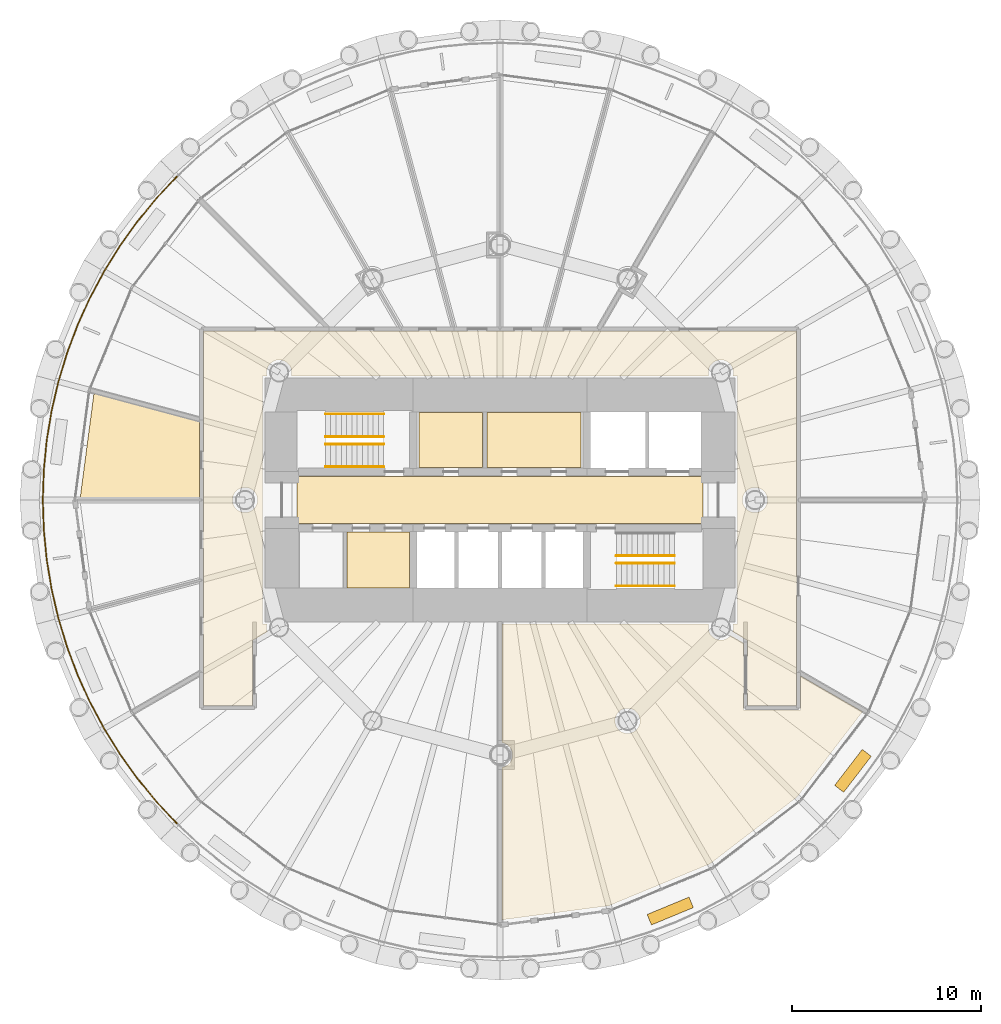
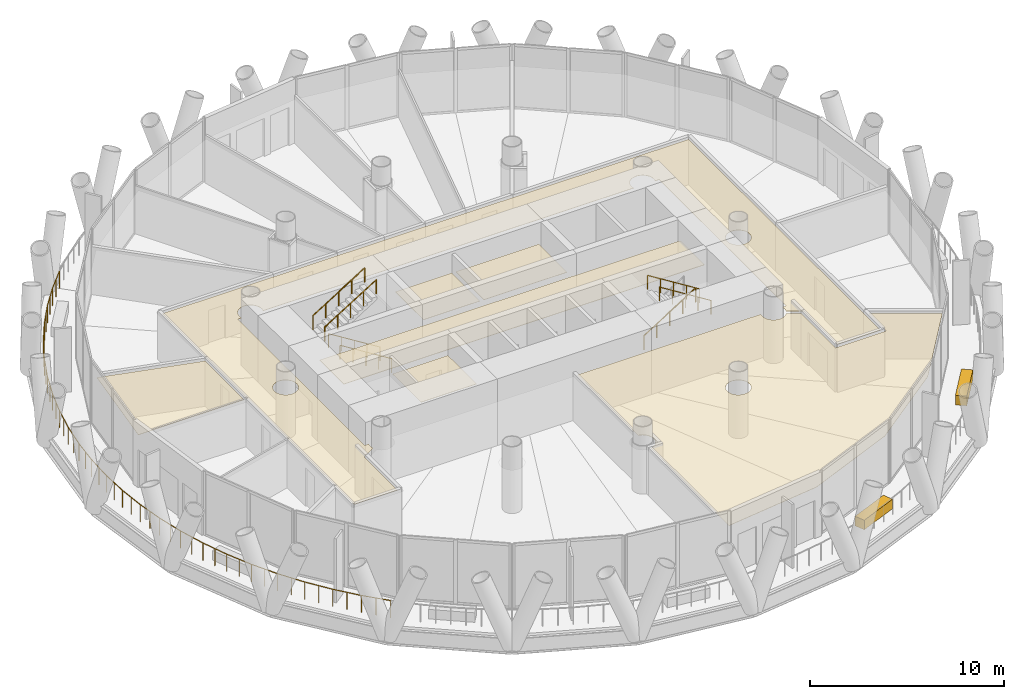
# One storey, part 13 of 15: 9 coverings, 8 railings.
"""IFC4 building model written with IfcOpenShell, lengths in metres."""

from ifc_helpers import new_model, si_unit, direction, frame, origin, origin_2d, place, context, subcontext, project, spatial, polyline, rectangle, circle, outline, extrude, material, layer, layer_set, type_object, element, save


model = new_model("IFC4")

# Units and contexts
model_context = context("Model", 3, precision=1e-05, world=origin(), true_north=direction((0.0, 1.0)))
body_context = subcontext(model_context, "Body", "Model", "MODEL_VIEW")
ifc_project = project(units=[si_unit("LENGTHUNIT", "METRE"), si_unit("AREAUNIT", "SQUARE_METRE"), si_unit("VOLUMEUNIT", "CUBIC_METRE"), si_unit("PLANEANGLEUNIT", "RADIAN"), si_unit("MASSUNIT", "GRAM", prefix="KILO")], contexts=[model_context])

# Site, building, storey
site_placement = place(None, origin())
site = spatial("IfcSite", under=ifc_project, at=site_placement, CompositionType="ELEMENT")
building_placement = place(site_placement, origin())
building = spatial("IfcBuilding", under=site, at=building_placement, Name="Qaws Media Tower", CompositionType="ELEMENT")
storey_placement = place(building_placement, frame((0.0, 0.0, 143.60009765625)))
storey = spatial("IfcBuildingStorey", under=building, at=storey_placement, Name="L32", CompositionType="ELEMENT", Elevation=143.60009765625)

# Railing
ifc_material_1 = material(Name="Stainless steel and glass guard", Category="steel")
railing_type_1 = type_object("IfcRailingType", Name="Balcony guard 1100", PredefinedType="GUARDRAIL", material=ifc_material_1)
railing_placement = place(storey_placement, frame((42.887939453125, 67.112060546875, 0.0)))
element("IfcRailing", 1, at=railing_placement, inside=storey, type_object=railing_type_1, Name="GR1 balcony guard L32-2", PredefinedType="GUARDRAIL", context=body_context, shape_type="SweptSolid", body=[
    extrude(circle(Radius=0.02392578125, at=origin_2d()), frame((0.0, 0.0, 1.076171875), z_axis=(-0.683525663397, -0.729926480872, 0.0), x_axis=(0.729926480872, -0.683525663397, 0.0)), (0.0, 0.0, 1.0), 1.583740234375),
    extrude(circle(Radius=0.02392578125, at=origin_2d()), frame((-1.08251953125, -1.156005859375, 1.076171875), z_axis=(-0.634404020343, -0.773001642284, 0.0), x_axis=(0.773001642284, -0.634404020343, 0.0)), (0.0, 0.0, 1.0), 1.58349609375),
    extrude(circle(Radius=0.02392578125, at=origin_2d()), frame((-2.087158203125, -2.380126953125, 1.076171875), z_axis=(-0.582491777819, -0.81283659414, 0.0), x_axis=(0.81283659414, -0.582491777819, 0.0)), (0.0, 0.0, 1.0), 1.58349609375),
    extrude(circle(Radius=0.02392578125, at=origin_2d()), frame((-3.009521484375, -3.667236328125, 1.076171875), z_axis=(-0.528057343706, -0.849208715075, 0.0), x_axis=(0.849208715075, -0.528057343706, 0.0)), (0.0, 0.0, 1.0), 1.58349609375),
    extrude(circle(Radius=0.02392578125, at=origin_2d()), frame((-3.845703125, -5.011962890625, 1.076171875), z_axis=(-0.471404145515, -0.881917304281, 0.0), x_axis=(0.881917304281, -0.471404145515, 0.0)), (0.0, 0.0, 1.0), 1.583740234375),
    extrude(circle(Radius=0.02392578125, at=origin_2d()), frame((-4.59228515625, -6.40869140625, 1.076171875), z_axis=(-0.412722382682, -0.910856868467, 0.0), x_axis=(0.910856868467, -0.412722382682, 0.0)), (0.0, 0.0, 1.0), 1.58349609375),
    extrude(circle(Radius=0.02392578125, at=origin_2d()), frame((-5.245849609375, -7.85107421875, 1.076171875), z_axis=(-0.35225509793, -0.935904026053, 0.0), x_axis=(0.935904026053, -0.35225509793, 0.0)), (0.0, 0.0, 1.0), 1.583740234375),
    extrude(circle(Radius=0.02392578125, at=origin_2d()), frame((-5.8037109375, -9.333251953125, 1.076171875), z_axis=(-0.290302625985, -0.95693489086, 0.0), x_axis=(0.95693489086, -0.290302625985, 0.0)), (0.0, 0.0, 1.0), 1.58349609375),
    extrude(circle(Radius=0.02392578125, at=origin_2d()), frame((-6.263427734375, -10.8486328125, 1.076171875), z_axis=(-0.227088279746, -0.973874177295, 0.0), x_axis=(0.973874177295, -0.227088279746, 0.0)), (0.0, 0.0, 1.0), 1.58349609375),
    extrude(circle(Radius=0.02392578125, at=origin_2d()), frame((-6.623046875, -12.390869140625, 1.076171875), z_axis=(-0.162798782993, -0.986659290868, 0.0), x_axis=(0.986659290868, -0.162798782993, 0.0)), (0.0, 0.0, 1.0), 1.583740234375),
    extrude(circle(Radius=0.02392578125, at=origin_2d()), frame((-6.880859375, -13.953369140625, 1.076171875), z_axis=(-0.098053479386, -0.995181146918, 0.0), x_axis=(0.995181146918, -0.098053479386, 0.0)), (0.0, 0.0, 1.0), 1.58349609375),
    extrude(circle(Radius=0.02392578125, at=origin_2d()), frame((-7.0361328125, -15.529296875, 1.076171875), z_axis=(-0.032683439731, -0.999465753674, 0.0), x_axis=(0.999465753674, -0.032683439731, 0.0)), (0.0, 0.0, 1.0), 1.58349609375),
    extrude(circle(Radius=0.02392578125, at=origin_2d()), frame((-7.087890625, -17.112060546875, 1.076171875), z_axis=(0.032683439731, -0.999465753674, 0.0), x_axis=(0.999465753674, 0.032683439731, 0.0)), (0.0, 0.0, 1.0), 1.58349609375),
    extrude(circle(Radius=0.02392578125, at=origin_2d()), frame((-7.0361328125, -18.69482421875, 1.076171875), z_axis=(0.098053479386, -0.995181146918, 0.0), x_axis=(0.995181146918, 0.098053479386, 0.0)), (0.0, 0.0, 1.0), 1.58349609375),
    extrude(circle(Radius=0.02392578125, at=origin_2d()), frame((-6.880859375, -20.270751953125, 1.076171875), z_axis=(0.162798782993, -0.986659290868, 0.0), x_axis=(0.986659290868, 0.162798782993, 0.0)), (0.0, 0.0, 1.0), 1.583740234375),
    extrude(circle(Radius=0.02392578125, at=origin_2d()), frame((-6.623046875, -21.833251953125, 1.076171875), z_axis=(0.227088279746, -0.973874177295, 0.0), x_axis=(0.973874177295, 0.227088279746, 0.0)), (0.0, 0.0, 1.0), 1.58349609375),
    extrude(circle(Radius=0.02392578125, at=origin_2d()), frame((-6.263427734375, -23.37548828125, 1.076171875), z_axis=(0.290302625985, -0.95693489086, 0.0), x_axis=(0.95693489086, 0.290302625985, 0.0)), (0.0, 0.0, 1.0), 1.58349609375),
    extrude(circle(Radius=0.02392578125, at=origin_2d()), frame((-5.8037109375, -24.890869140625, 1.076171875), z_axis=(0.35225509793, -0.935904026053, 0.0), x_axis=(0.935904026053, 0.35225509793, 0.0)), (0.0, 0.0, 1.0), 1.583740234375),
    extrude(circle(Radius=0.02392578125, at=origin_2d()), frame((-5.245849609375, -26.373046875, 1.076171875), z_axis=(0.412722382682, -0.910856868467, 0.0), x_axis=(0.910856868467, 0.412722382682, 0.0)), (0.0, 0.0, 1.0), 1.58349609375),
    extrude(circle(Radius=0.02392578125, at=origin_2d()), frame((-4.59228515625, -27.8154296875, 1.076171875), z_axis=(0.471404145515, -0.881917304281, 0.0), x_axis=(0.881917304281, 0.471404145515, 0.0)), (0.0, 0.0, 1.0), 1.583740234375),
    extrude(circle(Radius=0.02392578125, at=origin_2d()), frame((-3.845703125, -29.212158203125, 1.076171875), z_axis=(0.528057343706, -0.849208715075, 0.0), x_axis=(0.849208715075, 0.528057343706, 0.0)), (0.0, 0.0, 1.0), 1.58349609375),
    extrude(circle(Radius=0.02392578125, at=origin_2d()), frame((-3.009521484375, -30.556884765625, 1.076171875), z_axis=(0.582491777819, -0.81283659414, 0.0), x_axis=(0.81283659414, 0.582491777819, 0.0)), (0.0, 0.0, 1.0), 1.58349609375),
    extrude(circle(Radius=0.02392578125, at=origin_2d()), frame((-2.087158203125, -31.843994140625, 1.076171875), z_axis=(0.634404020343, -0.773001642284, 0.0), x_axis=(0.773001642284, 0.634404020343, 0.0)), (0.0, 0.0, 1.0), 1.58349609375),
    extrude(circle(Radius=0.02392578125, at=origin_2d()), frame((-1.08251953125, -33.068115234375, 1.076171875), z_axis=(0.683525663397, -0.729926480872, 0.0), x_axis=(0.729926480872, 0.683525663397, 0.0)), (0.0, 0.0, 1.0), 1.583740234375),
    extrude(circle(Radius=0.02099609375, at=origin_2d()), origin(), (0.0, 0.0, 1.0), 1.052001953125),
    extrude(circle(Radius=0.02099609375, at=origin_2d()), frame((-0.541259765625, -0.578125, 0.0)), (0.0, 0.0, 1.0), 1.052001953125),
    extrude(circle(Radius=0.02099609375, at=origin_2d()), frame((-1.08251953125, -1.156005859375, 0.0)), (0.0, 0.0, 1.0), 1.052001953125),
    extrude(circle(Radius=0.02099609375, at=origin_2d()), frame((-1.5849609375, -1.76806640625, 0.0)), (0.0, 0.0, 1.0), 1.052001953125),
    extrude(circle(Radius=0.02099609375, at=origin_2d()), frame((-2.087158203125, -2.380126953125, 0.0)), (0.0, 0.0, 1.0), 1.052001953125),
    extrude(circle(Radius=0.02099609375, at=origin_2d()), frame((-2.54833984375, -3.023681640625, 0.0)), (0.0, 0.0, 1.0), 1.052001953125),
    extrude(circle(Radius=0.02099609375, at=origin_2d()), frame((-3.009521484375, -3.667236328125, 0.0)), (0.0, 0.0, 1.0), 1.052001953125),
    extrude(circle(Radius=0.02099609375, at=origin_2d()), frame((-3.427734375, -4.339599609375, 0.0)), (0.0, 0.0, 1.0), 1.052001953125),
    extrude(circle(Radius=0.02099609375, at=origin_2d()), frame((-3.845703125, -5.011962890625, 0.0)), (0.0, 0.0, 1.0), 1.052001953125),
    extrude(circle(Radius=0.02099609375, at=origin_2d()), frame((-4.218994140625, -5.71044921875, 0.0)), (0.0, 0.0, 1.0), 1.052001953125),
    extrude(circle(Radius=0.02099609375, at=origin_2d()), frame((-4.59228515625, -6.40869140625, 0.0)), (0.0, 0.0, 1.0), 1.052001953125),
    extrude(circle(Radius=0.02099609375, at=origin_2d()), frame((-4.9189453125, -7.1298828125, 0.0)), (0.0, 0.0, 1.0), 1.052001953125),
    extrude(circle(Radius=0.02099609375, at=origin_2d()), frame((-5.245849609375, -7.85107421875, 0.0)), (0.0, 0.0, 1.0), 1.052001953125),
    extrude(circle(Radius=0.02099609375, at=origin_2d()), frame((-5.52490234375, -8.59228515625, 0.0)), (0.0, 0.0, 1.0), 1.052001953125),
    extrude(circle(Radius=0.02099609375, at=origin_2d()), frame((-5.8037109375, -9.333251953125, 0.0)), (0.0, 0.0, 1.0), 1.052001953125),
    extrude(circle(Radius=0.02099609375, at=origin_2d()), frame((-6.03369140625, -10.0908203125, 0.0)), (0.0, 0.0, 1.0), 1.052001953125),
    extrude(circle(Radius=0.02099609375, at=origin_2d()), frame((-6.263427734375, -10.8486328125, 0.0)), (0.0, 0.0, 1.0), 1.052001953125),
    extrude(circle(Radius=0.02099609375, at=origin_2d()), frame((-6.443359375, -11.61962890625, 0.0)), (0.0, 0.0, 1.0), 1.052001953125),
    extrude(circle(Radius=0.02099609375, at=origin_2d()), frame((-6.623046875, -12.390869140625, 0.0)), (0.0, 0.0, 1.0), 1.052001953125),
    extrude(circle(Radius=0.02099609375, at=origin_2d()), frame((-6.751953125, -13.172119140625, 0.0)), (0.0, 0.0, 1.0), 1.052001953125),
    extrude(circle(Radius=0.02099609375, at=origin_2d()), frame((-6.880859375, -13.953369140625, 0.0)), (0.0, 0.0, 1.0), 1.052001953125),
    extrude(circle(Radius=0.02099609375, at=origin_2d()), frame((-6.95849609375, -14.7412109375, 0.0)), (0.0, 0.0, 1.0), 1.052001953125),
    extrude(circle(Radius=0.02099609375, at=origin_2d()), frame((-7.0361328125, -15.529296875, 0.0)), (0.0, 0.0, 1.0), 1.052001953125),
    extrude(circle(Radius=0.02099609375, at=origin_2d()), frame((-7.06201171875, -16.32080078125, 0.0)), (0.0, 0.0, 1.0), 1.052001953125),
    extrude(circle(Radius=0.02099609375, at=origin_2d()), frame((-7.087890625, -17.112060546875, 0.0)), (0.0, 0.0, 1.0), 1.052001953125),
    extrude(circle(Radius=0.02099609375, at=origin_2d()), frame((-7.06201171875, -17.9033203125, 0.0)), (0.0, 0.0, 1.0), 1.052001953125),
    extrude(circle(Radius=0.02099609375, at=origin_2d()), frame((-7.0361328125, -18.69482421875, 0.0)), (0.0, 0.0, 1.0), 1.052001953125),
    extrude(circle(Radius=0.02099609375, at=origin_2d()), frame((-6.95849609375, -19.48291015625, 0.0)), (0.0, 0.0, 1.0), 1.052001953125),
    extrude(circle(Radius=0.02099609375, at=origin_2d()), frame((-6.880859375, -20.270751953125, 0.0)), (0.0, 0.0, 1.0), 1.052001953125),
    extrude(circle(Radius=0.02099609375, at=origin_2d()), frame((-6.751953125, -21.052001953125, 0.0)), (0.0, 0.0, 1.0), 1.052001953125),
    extrude(circle(Radius=0.02099609375, at=origin_2d()), frame((-6.623046875, -21.833251953125, 0.0)), (0.0, 0.0, 1.0), 1.052001953125),
    extrude(circle(Radius=0.02099609375, at=origin_2d()), frame((-6.443359375, -22.6044921875, 0.0)), (0.0, 0.0, 1.0), 1.052001953125),
    extrude(circle(Radius=0.02099609375, at=origin_2d()), frame((-6.263427734375, -23.37548828125, 0.0)), (0.0, 0.0, 1.0), 1.052001953125),
    extrude(circle(Radius=0.02099609375, at=origin_2d()), frame((-6.03369140625, -24.13330078125, 0.0)), (0.0, 0.0, 1.0), 1.052001953125),
    extrude(circle(Radius=0.02099609375, at=origin_2d()), frame((-5.8037109375, -24.890869140625, 0.0)), (0.0, 0.0, 1.0), 1.052001953125),
    extrude(circle(Radius=0.02099609375, at=origin_2d()), frame((-5.52490234375, -25.6318359375, 0.0)), (0.0, 0.0, 1.0), 1.052001953125),
    extrude(circle(Radius=0.02099609375, at=origin_2d()), frame((-5.245849609375, -26.373046875, 0.0)), (0.0, 0.0, 1.0), 1.052001953125),
    extrude(circle(Radius=0.02099609375, at=origin_2d()), frame((-4.9189453125, -27.09423828125, 0.0)), (0.0, 0.0, 1.0), 1.052001953125),
    extrude(circle(Radius=0.02099609375, at=origin_2d()), frame((-4.59228515625, -27.8154296875, 0.0)), (0.0, 0.0, 1.0), 1.052001953125),
    extrude(circle(Radius=0.02099609375, at=origin_2d()), frame((-4.218994140625, -28.513671875, 0.0)), (0.0, 0.0, 1.0), 1.052001953125),
    extrude(circle(Radius=0.02099609375, at=origin_2d()), frame((-3.845703125, -29.212158203125, 0.0)), (0.0, 0.0, 1.0), 1.052001953125),
    extrude(circle(Radius=0.02099609375, at=origin_2d()), frame((-3.427734375, -29.884521484375, 0.0)), (0.0, 0.0, 1.0), 1.052001953125),
    extrude(circle(Radius=0.02099609375, at=origin_2d()), frame((-3.009521484375, -30.556884765625, 0.0)), (0.0, 0.0, 1.0), 1.052001953125),
    extrude(circle(Radius=0.02099609375, at=origin_2d()), frame((-2.54833984375, -31.200439453125, 0.0)), (0.0, 0.0, 1.0), 1.052001953125),
    extrude(circle(Radius=0.02099609375, at=origin_2d()), frame((-2.087158203125, -31.843994140625, 0.0)), (0.0, 0.0, 1.0), 1.052001953125),
    extrude(circle(Radius=0.02099609375, at=origin_2d()), frame((-1.5849609375, -32.4560546875, 0.0)), (0.0, 0.0, 1.0), 1.052001953125),
    extrude(circle(Radius=0.02099609375, at=origin_2d()), frame((-1.08251953125, -33.068115234375, 0.0)), (0.0, 0.0, 1.0), 1.052001953125),
    extrude(circle(Radius=0.02099609375, at=origin_2d()), frame((-0.541259765625, -33.64599609375, 0.0)), (0.0, 0.0, 1.0), 1.052001953125),
    extrude(circle(Radius=0.02099609375, at=origin_2d()), frame((0.0, -34.22412109375, 0.0)), (0.0, 0.0, 1.0), 1.052001953125),
])

# Coverings
ifc_material_2 = material(Name="600 x 600 mineral fibre tiles in exposed grid, suspended", Category="mineral fibre")
ifc_layer_1 = layer(ifc_material_2, 0.02001953125)
ifc_layer_set_1 = layer_set([ifc_layer_1], Name="Mineral fibre tile ceiling 20")
covering_type_1 = type_object("IfcCoveringType", Name="Mineral fibre tile ceiling 20", PredefinedType="CEILING", material=ifc_layer_set_1)
covering_1_placement = place(storey_placement, frame((0.0, 0.0, 2.849853515625)))
element("IfcCovering", 2, at=covering_1_placement, inside=storey, type_object=covering_type_1, Name="CL1 ceiling L32-C07 Ladies toilets", PredefinedType="CEILING", context=body_context, shape_type="SweptSolid", body=[
    extrude(outline(polyline([(55.719970703125, 51.719970703125), (55.719970703125, 54.6298828125), (59.080078125, 54.6298828125), (59.080078125, 51.719970703125), (55.719970703125, 51.719970703125)])), origin(), (0.0, 0.0, 1.0), 0.02001953125),
])
covering_2_placement = place(storey_placement, frame((0.0, 0.0, 2.849853515625)))
element("IfcCovering", 3, at=covering_2_placement, inside=storey, type_object=covering_type_1, Name="CL1 ceiling L32-C08 Gents toilets", PredefinedType="CEILING", context=body_context, shape_type="SweptSolid", body=[
    extrude(outline(polyline([(59.320068359375, 51.719970703125), (59.320068359375, 54.6298828125), (64.280029296875, 54.6298828125), (64.280029296875, 51.719970703125), (59.320068359375, 51.719970703125)])), origin(), (0.0, 0.0, 1.0), 0.02001953125),
])
covering_3_placement = place(storey_placement, frame((0.0, 0.0, 2.849853515625)))
element("IfcCovering", 4, at=covering_3_placement, inside=storey, type_object=covering_type_1, Name="CL1 ceiling L32-01 Corridor", PredefinedType="CEILING", context=body_context, shape_type="SweptSolid", body=[
    extrude(outline(polyline([(44.3125, 39.112548828125), (44.3125, 58.9375), (75.6875, 58.9375), (75.6875, 39.112548828125), (73.112548828125, 39.112548828125), (73.112548828125, 42.559326171875), (72.31689453125, 43.018798828125), (72.336669921875, 43.0771484375), (72.353515625, 43.162841796875), (72.359375, 43.25), (72.353515625, 43.337158203125), (72.336669921875, 43.4228515625), (72.33154296875, 43.4375), (72.5625, 43.4375), (72.5625, 56.5625), (72.33154296875, 56.5625), (72.336669921875, 56.5771484375), (72.353515625, 56.662841796875), (72.359375, 56.75), (72.353515625, 56.837158203125), (72.336669921875, 56.9228515625), (72.30859375, 57.005615234375), (72.269775390625, 57.083984375), (72.22119140625, 57.15673828125), (72.163818359375, 57.222412109375), (72.097900390625, 57.280029296875), (72.025390625, 57.32861328125), (71.947021484375, 57.3671875), (71.8642578125, 57.395263671875), (71.778564453125, 57.412353515625), (71.69140625, 57.41796875), (71.604248046875, 57.412353515625), (71.5185546875, 57.395263671875), (71.435791015625, 57.3671875), (71.357421875, 57.32861328125), (71.28466796875, 57.280029296875), (71.218994140625, 57.222412109375), (71.161376953125, 57.15673828125), (71.11279296875, 57.083984375), (71.07421875, 57.005615234375), (71.046142578125, 56.9228515625), (71.029052734375, 56.837158203125), (71.023193359375, 56.75), (71.029052734375, 56.662841796875), (71.046142578125, 56.5771484375), (71.051025390625, 56.5625), (48.948974609375, 56.5625), (48.953857421875, 56.5771484375), (48.970947265625, 56.662841796875), (48.976806640625, 56.75), (48.970947265625, 56.837158203125), (48.953857421875, 56.9228515625), (48.92578125, 57.005615234375), (48.88720703125, 57.083984375), (48.838623046875, 57.15673828125), (48.781005859375, 57.222412109375), (48.71533203125, 57.280029296875), (48.642578125, 57.32861328125), (48.564208984375, 57.3671875), (48.4814453125, 57.395263671875), (48.395751953125, 57.412353515625), (48.30859375, 57.41796875), (48.221435546875, 57.412353515625), (48.1357421875, 57.395263671875), (48.052978515625, 57.3671875), (47.974609375, 57.32861328125), (47.902099609375, 57.280029296875), (47.836181640625, 57.222412109375), (47.77880859375, 57.15673828125), (47.730224609375, 57.083984375), (47.69140625, 57.005615234375), (47.663330078125, 56.9228515625), (47.646484375, 56.837158203125), (47.640625, 56.75), (47.646484375, 56.662841796875), (47.663330078125, 56.5771484375), (47.66845703125, 56.5625), (47.4375, 56.5625), (47.4375, 43.4375), (47.66845703125, 43.4375), (47.663330078125, 43.4228515625), (47.646484375, 43.337158203125), (47.640625, 43.25), (47.646484375, 43.162841796875), (47.663330078125, 43.0771484375), (47.68310546875, 43.018798828125), (46.887451171875, 42.559326171875), (46.887451171875, 39.112548828125), (44.3125, 39.112548828125)]), holes=[polyline([(47.1171875, 49.744384765625), (47.145263671875, 49.8271484375), (47.162353515625, 49.912841796875), (47.16796875, 50.0), (47.162353515625, 50.087158203125), (47.145263671875, 50.1728515625), (47.1171875, 50.255615234375), (47.07861328125, 50.333984375), (47.030029296875, 50.40673828125), (46.972412109375, 50.472412109375), (46.90673828125, 50.530029296875), (46.833984375, 50.57861328125), (46.755615234375, 50.6171875), (46.6728515625, 50.645263671875), (46.587158203125, 50.662353515625), (46.5, 50.66796875), (46.412841796875, 50.662353515625), (46.3271484375, 50.645263671875), (46.244384765625, 50.6171875), (46.166015625, 50.57861328125), (46.09326171875, 50.530029296875), (46.027587890625, 50.472412109375), (45.969970703125, 50.40673828125), (45.92138671875, 50.333984375), (45.8828125, 50.255615234375), (45.854736328125, 50.1728515625), (45.837646484375, 50.087158203125), (45.83203125, 50.0), (45.837646484375, 49.912841796875), (45.854736328125, 49.8271484375), (45.8828125, 49.744384765625), (45.92138671875, 49.666015625), (45.969970703125, 49.59326171875), (46.027587890625, 49.527587890625), (46.09326171875, 49.469970703125), (46.166015625, 49.42138671875), (46.244384765625, 49.3828125), (46.3271484375, 49.354736328125), (46.412841796875, 49.337646484375), (46.5, 49.33203125), (46.587158203125, 49.337646484375), (46.6728515625, 49.354736328125), (46.755615234375, 49.3828125), (46.833984375, 49.42138671875), (46.90673828125, 49.469970703125), (46.972412109375, 49.527587890625), (47.030029296875, 49.59326171875), (47.07861328125, 49.666015625), (47.1171875, 49.744384765625)]), polyline([(74.145263671875, 49.8271484375), (74.162353515625, 49.912841796875), (74.16796875, 50.0), (74.162353515625, 50.087158203125), (74.145263671875, 50.1728515625), (74.1171875, 50.255615234375), (74.07861328125, 50.333984375), (74.030029296875, 50.40673828125), (73.972412109375, 50.472412109375), (73.90673828125, 50.530029296875), (73.833984375, 50.57861328125), (73.755615234375, 50.6171875), (73.6728515625, 50.645263671875), (73.587158203125, 50.662353515625), (73.5, 50.66796875), (73.412841796875, 50.662353515625), (73.3271484375, 50.645263671875), (73.244384765625, 50.6171875), (73.166015625, 50.57861328125), (73.09326171875, 50.530029296875), (73.027587890625, 50.472412109375), (72.969970703125, 50.40673828125), (72.92138671875, 50.333984375), (72.8828125, 50.255615234375), (72.854736328125, 50.1728515625), (72.837646484375, 50.087158203125), (72.83203125, 50.0), (72.837646484375, 49.912841796875), (72.854736328125, 49.8271484375), (72.8828125, 49.744384765625), (72.92138671875, 49.666015625), (72.969970703125, 49.59326171875), (73.027587890625, 49.527587890625), (73.09326171875, 49.469970703125), (73.166015625, 49.42138671875), (73.244384765625, 49.3828125), (73.3271484375, 49.354736328125), (73.412841796875, 49.337646484375), (73.5, 49.33203125), (73.587158203125, 49.337646484375), (73.6728515625, 49.354736328125), (73.755615234375, 49.3828125), (73.833984375, 49.42138671875), (73.90673828125, 49.469970703125), (73.972412109375, 49.527587890625), (74.030029296875, 49.59326171875), (74.07861328125, 49.666015625), (74.1171875, 49.744384765625), (74.145263671875, 49.8271484375)])]), origin(), (0.0, 0.0, 1.0), 0.02001953125),
])
covering_4_placement = place(storey_placement, frame((0.0, 0.0, 2.849853515625)))
element("IfcCovering", 5, at=covering_4_placement, inside=storey, type_object=covering_type_1, Name="CL1 ceiling L32-09 Office", PredefinedType="CEILING", context=body_context, shape_type="SweptSolid", body=[
    extrude(outline(polyline([(38.507568359375, 55.642333984375), (44.08740234375, 54.147216796875), (44.08740234375, 50.112548828125), (37.779541015625, 50.112548828125), (38.507568359375, 55.642333984375)])), origin(), (0.0, 0.0, 1.0), 0.02001953125),
])
covering_5_placement = place(storey_placement, frame((0.0, 0.0, 2.849853515625)))
element("IfcCovering", 6, at=covering_5_placement, inside=storey, type_object=covering_type_1, Name="CL1 ceiling L32-13 Paralegal office", PredefinedType="CEILING", context=body_context, shape_type="SweptSolid", body=[
    extrude(outline(polyline([(72.887451171875, 38.887451171875), (75.91259765625, 38.887451171875), (75.91259765625, 40.68310546875), (79.187255859375, 38.79248046875), (75.72265625, 34.27734375), (71.11767578125, 30.74365234375), (65.7548828125, 28.5224609375), (60.112548828125, 27.779541015625), (60.112548828125, 35.8427734375), (60.1728515625, 35.854736328125), (60.255615234375, 35.8828125), (60.333984375, 35.92138671875), (60.40673828125, 35.969970703125), (60.472412109375, 36.027587890625), (60.530029296875, 36.09326171875), (60.57861328125, 36.166015625), (60.6171875, 36.244384765625), (60.645263671875, 36.3271484375), (60.662353515625, 36.412841796875), (60.66796875, 36.5), (60.662353515625, 36.587158203125), (60.645263671875, 36.6728515625), (60.6171875, 36.755615234375), (60.57861328125, 36.833984375), (60.530029296875, 36.90673828125), (60.472412109375, 36.972412109375), (60.40673828125, 37.030029296875), (60.333984375, 37.07861328125), (60.255615234375, 37.1171875), (60.1728515625, 37.145263671875), (60.112548828125, 37.1572265625), (60.112548828125, 43.4375), (71.051025390625, 43.4375), (71.046142578125, 43.4228515625), (71.029052734375, 43.337158203125), (71.023193359375, 43.25), (71.029052734375, 43.162841796875), (71.046142578125, 43.0771484375), (71.07421875, 42.994384765625), (71.11279296875, 42.916015625), (71.161376953125, 42.84326171875), (71.218994140625, 42.777587890625), (71.28466796875, 42.719970703125), (71.357421875, 42.67138671875), (71.435791015625, 42.6328125), (71.5185546875, 42.604736328125), (71.604248046875, 42.587646484375), (71.69140625, 42.58203125), (71.778564453125, 42.587646484375), (71.8642578125, 42.604736328125), (71.947021484375, 42.6328125), (72.025390625, 42.67138671875), (72.097900390625, 42.719970703125), (72.163818359375, 42.777587890625), (72.204345703125, 42.823974609375), (72.887451171875, 42.429443359375), (72.887451171875, 38.887451171875)]), holes=[polyline([(67.3671875, 38.052978515625), (67.395263671875, 38.1357421875), (67.412353515625, 38.221435546875), (67.41796875, 38.30859375), (67.412353515625, 38.395751953125), (67.395263671875, 38.4814453125), (67.3671875, 38.564208984375), (67.32861328125, 38.642578125), (67.280029296875, 38.71533203125), (67.222412109375, 38.781005859375), (67.15673828125, 38.838623046875), (67.083984375, 38.88720703125), (67.005615234375, 38.92578125), (66.9228515625, 38.953857421875), (66.837158203125, 38.970947265625), (66.75, 38.976806640625), (66.662841796875, 38.970947265625), (66.5771484375, 38.953857421875), (66.494384765625, 38.92578125), (66.416015625, 38.88720703125), (66.34326171875, 38.838623046875), (66.277587890625, 38.781005859375), (66.219970703125, 38.71533203125), (66.17138671875, 38.642578125), (66.1328125, 38.564208984375), (66.104736328125, 38.4814453125), (66.087646484375, 38.395751953125), (66.08203125, 38.30859375), (66.087646484375, 38.221435546875), (66.104736328125, 38.1357421875), (66.1328125, 38.052978515625), (66.17138671875, 37.974609375), (66.219970703125, 37.902099609375), (66.277587890625, 37.836181640625), (66.34326171875, 37.77880859375), (66.416015625, 37.730224609375), (66.494384765625, 37.69140625), (66.5771484375, 37.663330078125), (66.662841796875, 37.646484375), (66.75, 37.640625), (66.837158203125, 37.646484375), (66.9228515625, 37.663330078125), (67.005615234375, 37.69140625), (67.083984375, 37.730224609375), (67.15673828125, 37.77880859375), (67.222412109375, 37.836181640625), (67.280029296875, 37.902099609375), (67.32861328125, 37.974609375), (67.3671875, 38.052978515625)])]), origin(), (0.0, 0.0, 1.0), 0.02001953125),
])
covering_6_placement = place(storey_placement, frame((0.0, 0.0, 2.849853515625)))
element("IfcCovering", 7, at=covering_6_placement, inside=storey, type_object=covering_type_1, Name="CL1 ceiling L32-C05 First aid room", PredefinedType="CEILING", context=body_context, shape_type="SweptSolid", body=[
    extrude(outline(polyline([(51.89990234375, 45.35009765625), (51.89990234375, 48.300048828125), (55.199951171875, 48.300048828125), (55.199951171875, 45.35009765625), (51.89990234375, 45.35009765625)])), origin(), (0.0, 0.0, 1.0), 0.02001953125),
])
ifc_material_3 = material(Name="Precast concrete planter with trailing planting", Category="concrete")
ifc_layer_2 = layer(ifc_material_3, 0.60009765625)
ifc_layer_set_2 = layer_set([ifc_layer_2], Name="Planter 2400x600")
covering_type_2 = type_object("IfcCoveringType", Name="Planter 2400x600", PredefinedType="USERDEFINED", material=ifc_layer_set_2)
for number, where, z_axis, x_axis, name in (
    (8, (69.01220703125, 28.24267578125, -0.000244140625), (0.0, 0.0, 1.0), (0.923879532511, 0.382683432365, 0.0), "PL1 balcony planter L32-10"),
    (9, (78.683349609375, 35.66357421875, -0.000244140625), (0.0, 0.0, 1.0), (0.608761429009, 0.793353340291, 0.0), "PL1 balcony planter L32-11"),
):
    element("IfcCovering", number, at=place(storey_placement, frame(where, z_axis=z_axis, x_axis=x_axis)), inside=storey, type_object=covering_type_2, Name=name, ObjectType="PLANTER", PredefinedType="USERDEFINED", context=body_context, shape_type="SweptSolid", body=[
        extrude(rectangle(XDim=2.39990234375, YDim=0.60009765625, at=origin_2d()), origin(), (0.0, 0.0, 1.0), 0.60009765625),
    ])
ifc_material_4 = material(Name="Two layers 12.5 moisture-resistant plasterboard on suspended metal furring", Category="gypsum")
ifc_layer_3 = layer(ifc_material_4, 0.02490234375)
ifc_layer_set_3 = layer_set([ifc_layer_3], Name="Plasterboard ceiling 25")
covering_type_3 = type_object("IfcCoveringType", Name="Plasterboard ceiling 25", PredefinedType="CEILING", material=ifc_layer_set_3)
covering_7_placement = place(storey_placement, frame((0.0, 0.0, 2.849853515625)))
element("IfcCovering", 10, at=covering_7_placement, inside=storey, type_object=covering_type_3, Name="CL2 ceiling L32-C01 Lift lobby", PredefinedType="CEILING", context=body_context, shape_type="SweptSolid", body=[
    extrude(outline(polyline([(49.25, 48.75), (49.25, 51.25), (70.75, 51.25), (70.75, 48.75), (49.25, 48.75)])), origin(), (0.0, 0.0, 1.0), 0.025146484375),
])

# Railings
ifc_material_5 = material(Name="Steel tube handrail", Category="steel")
railing_type_2 = type_object("IfcRailingType", Name="Stair handrail 900", PredefinedType="HANDRAIL", material=ifc_material_5)
for number, where, name in (
    (11, (53.840087890625, 51.75, 0.1748046875), "HR1 handrail S1 flight 1 L32"),
    (12, (53.840087890625, 52.9599609375, 0.1748046875), "HR1 handrail S1 flight 1 L32"),
):
    element("IfcRailing", number, at=place(storey_placement, frame(where)), inside=storey, type_object=railing_type_2, Name=name, PredefinedType="HANDRAIL", context=body_context, shape_type="SweptSolid", body=[
        extrude(circle(Radius=0.02392578125, at=origin_2d()), frame((0.0, 0.0, 0.8759765625), z_axis=(-0.847998304005, 0.0, 0.529998940003), x_axis=(0.0, -1.0, 0.0)), (0.0, 0.0, 1.0), 3.632080078125),
        extrude(circle(Radius=0.02099609375, at=origin_2d()), origin(), (0.0, 0.0, 1.0), 0.851806640625),
        extrude(circle(Radius=0.02099609375, at=origin_2d()), frame((-0.77001953125, 0.0, 0.481201171875)), (0.0, 0.0, 1.0), 0.851806640625),
        extrude(circle(Radius=0.02099609375, at=origin_2d()), frame((-1.5400390625, 0.0, 0.96240234375)), (0.0, 0.0, 1.0), 0.851806640625),
        extrude(circle(Radius=0.02099609375, at=origin_2d()), frame((-2.31005859375, 0.0, 1.44384765625)), (0.0, 0.0, 1.0), 0.851806640625),
        extrude(circle(Radius=0.02099609375, at=origin_2d()), frame((-3.080078125, 0.0, 1.925048828125)), (0.0, 0.0, 1.0), 0.851806640625),
    ])
for number, where, name in (
    (13, (50.760009765625, 54.550048828125, 2.27490234375), "HR1 handrail S1 flight 2 L32"),
    (14, (50.760009765625, 53.340087890625, 2.27490234375), "HR1 handrail S1 flight 2 L32"),
    (15, (66.159912109375, 47.0400390625, 0.1748046875), "HR1 handrail S2 flight 1 L32"),
):
    element("IfcRailing", number, at=place(storey_placement, frame(where)), inside=storey, type_object=railing_type_2, Name=name, PredefinedType="HANDRAIL", context=body_context, shape_type="SweptSolid", body=[
        extrude(circle(Radius=0.02392578125, at=origin_2d()), frame((0.0, 0.0, 0.8759765625), z_axis=(0.847998304005, 0.0, 0.529998940003), x_axis=(0.0, 1.0, 0.0)), (0.0, 0.0, 1.0), 3.632080078125),
        extrude(circle(Radius=0.02099609375, at=origin_2d()), origin(), (0.0, 0.0, 1.0), 0.851806640625),
        extrude(circle(Radius=0.02099609375, at=origin_2d()), frame((0.77001953125, 0.0, 0.481201171875)), (0.0, 0.0, 1.0), 0.851806640625),
        extrude(circle(Radius=0.02099609375, at=origin_2d()), frame((1.5400390625, 0.0, 0.96240234375)), (0.0, 0.0, 1.0), 0.851806640625),
        extrude(circle(Radius=0.02099609375, at=origin_2d()), frame((2.31005859375, 0.0, 1.44384765625)), (0.0, 0.0, 1.0), 0.851806640625),
        extrude(circle(Radius=0.02099609375, at=origin_2d()), frame((3.080078125, 0.0, 1.925048828125)), (0.0, 0.0, 1.0), 0.851806640625),
    ])
for number, where, name in (
    (16, (69.239990234375, 45.449951171875, 2.27490234375), "HR1 handrail S2 flight 2 L32"),
    (17, (69.239990234375, 46.659912109375, 2.27490234375), "HR1 handrail S2 flight 2 L32"),
):
    element("IfcRailing", number, at=place(storey_placement, frame(where)), inside=storey, type_object=railing_type_2, Name=name, PredefinedType="HANDRAIL", context=body_context, shape_type="SweptSolid", body=[
        extrude(circle(Radius=0.02392578125, at=origin_2d()), frame((0.0, 0.0, 0.8759765625), z_axis=(-0.847998304005, 0.0, 0.529998940003), x_axis=(0.0, -1.0, 0.0)), (0.0, 0.0, 1.0), 3.632080078125),
        extrude(circle(Radius=0.02099609375, at=origin_2d()), origin(), (0.0, 0.0, 1.0), 0.851806640625),
        extrude(circle(Radius=0.02099609375, at=origin_2d()), frame((-0.77001953125, 0.0, 0.481201171875)), (0.0, 0.0, 1.0), 0.851806640625),
        extrude(circle(Radius=0.02099609375, at=origin_2d()), frame((-1.5400390625, 0.0, 0.96240234375)), (0.0, 0.0, 1.0), 0.851806640625),
        extrude(circle(Radius=0.02099609375, at=origin_2d()), frame((-2.31005859375, 0.0, 1.44384765625)), (0.0, 0.0, 1.0), 0.851806640625),
        extrude(circle(Radius=0.02099609375, at=origin_2d()), frame((-3.080078125, 0.0, 1.925048828125)), (0.0, 0.0, 1.0), 0.851806640625),
    ])

save(model, "model.ifc")
